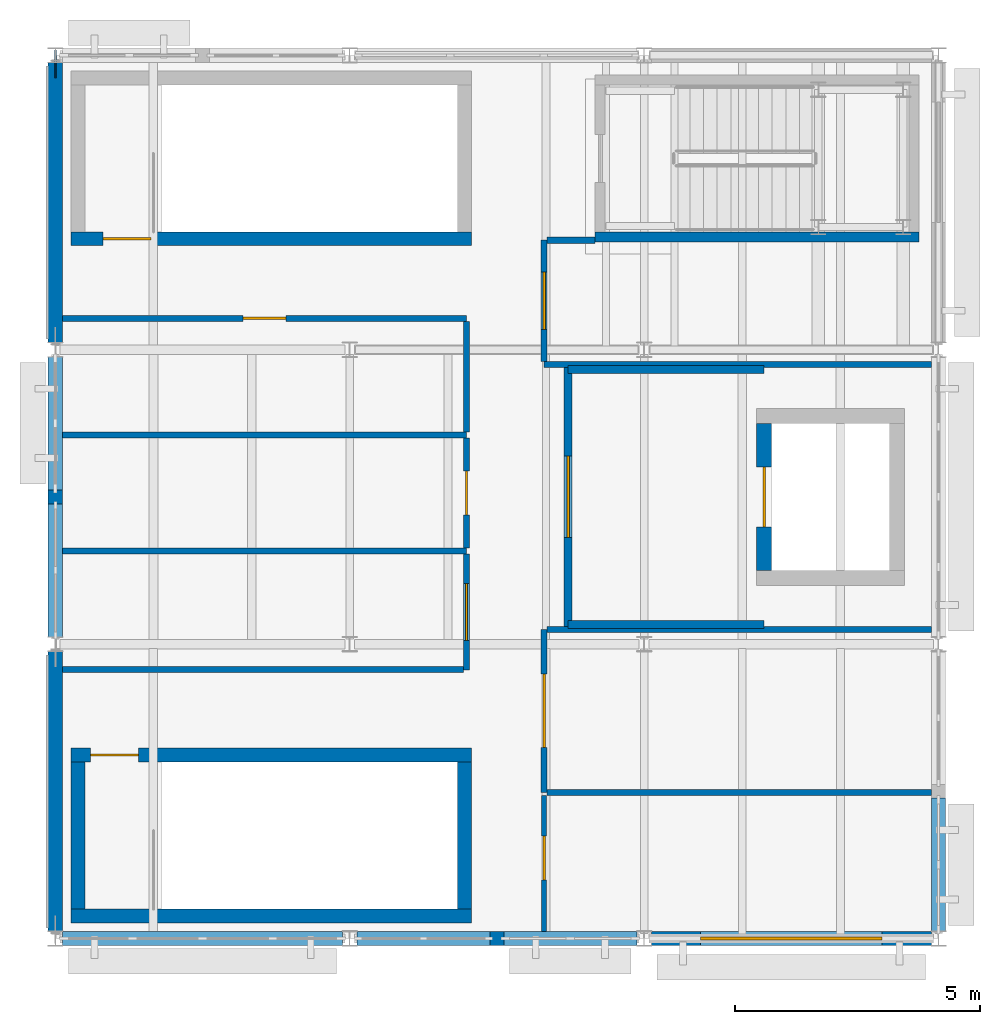
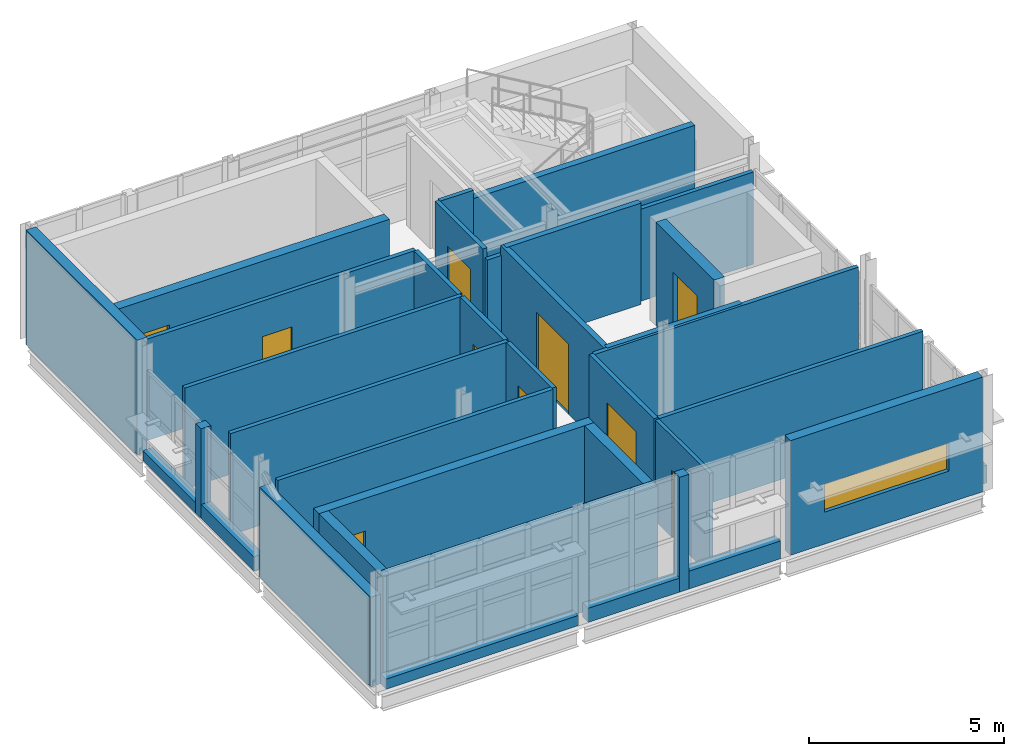
# One storey, part 6 of 8: 35 walls, 10 doors, 1 plate, 1 window, 11 openings.
"""IFC4 building model written with IfcOpenShell, lengths in metres."""

from ifc_helpers import new_model, si_unit, direction, frame, frame_2d, origin, origin_2d, place, context, subcontext, project, spatial, rectangle, extrude, material, layer, layer_set, type_object, element, fill, save


model = new_model("IFC4")

# Units and contexts
model_context = context("Model", 3, precision=1e-05, world=origin(), true_north=direction((0.0, 1.0)))
body_context = subcontext(model_context, "Body", "Model", "MODEL_VIEW")
ifc_project = project(units=[si_unit("LENGTHUNIT", "METRE"), si_unit("AREAUNIT", "SQUARE_METRE"), si_unit("VOLUMEUNIT", "CUBIC_METRE"), si_unit("PLANEANGLEUNIT", "RADIAN"), si_unit("MASSUNIT", "GRAM", prefix="KILO")], contexts=[model_context])

# Site, building, storey
site_placement = place(None, origin())
site = spatial("IfcSite", under=ifc_project, at=site_placement, CompositionType="ELEMENT")
building_placement = place(site_placement, origin())
building = spatial("IfcBuilding", under=site, at=building_placement, Name="Siltcreek Boulevard Central Fire Station", CompositionType="ELEMENT")
storey_placement = place(building_placement, frame((0.0, 0.0, 21.60009765625)))
storey = spatial("IfcBuildingStorey", under=building, at=storey_placement, Name="L06", CompositionType="ELEMENT", Elevation=21.60009765625)

# Plate
ifc_material_1 = material(Name="Structural steel ASTM A572 Gr50", Category="steel")
ifc_layer_1 = layer(ifc_material_1, 0.028076171875, Name="Structural steel ASTM A572 Gr50")
ifc_layer_set_1 = layer_set([ifc_layer_1], Name="Structural steel ASTM A572 Gr50")
plate_type = type_object("IfcPlateType", Name="PL_GUS28", PredefinedType="USERDEFINED", material=ifc_layer_set_1)
plate_placement = place(storey_placement, frame((42.0, 112.02001953125, 2.829833984375), z_axis=(0.0, 0.0, 1.0), x_axis=(0.0, 1.0, 0.0)))
element("IfcPlate", 1, at=plate_placement, inside=storey, type_object=plate_type, Name="Seismic brace top gusset plate GP-082", ObjectType="GUSSET PLATE", PredefinedType="USERDEFINED", context=body_context, shape_type="SweptSolid", body=[
    extrude(rectangle(XDim=0.56005859375, YDim=0.028076171875, at=origin_2d()), origin(), (0.0, 0.0, 1.0), 0.43994140625),
])

# Wall
ifc_material_2 = material(Name="Concrete C40/50", Category="concrete")
ifc_layer_2 = layer(ifc_material_2, 0.280029296875, Name="Concrete C40/50")
ifc_layer_set_2 = layer_set([ifc_layer_2], Name="Concrete C40/50")
wall_type_1 = type_object("IfcWallType", Name="CW_SHEAR280", PredefinedType="SHEAR", material=ifc_layer_set_2)
wall_1_placement = place(storey_placement, frame((42.320068359375, 94.659912109375, 0.0), z_axis=(0.0, 0.0, 1.0), x_axis=(1.0, 0.0, 0.0)))
element("IfcWall", 2, at=wall_1_placement, inside=storey, type_object=wall_type_1, Name="L06 ST-V3A stair enclosure south shear wall", PredefinedType="SHEAR", context=body_context, shape_type="SweptSolid", body=[
    extrude(rectangle(XDim=8.159912109375, YDim=0.280029296875, at=frame_2d((4.080078125, 0.0))), origin(), (0.0, 0.0, 1.0), 3.179931640625),
])

# Wall, opening, door
wall_2_placement = place(storey_placement, frame((50.47998046875, 97.93994140625, 0.0), z_axis=(0.0, 0.0, 1.0), x_axis=(-1.0, 0.0, 0.0)))
wall_2 = element("IfcWall", 3, at=wall_2_placement, inside=storey, type_object=wall_type_1, Name="L06 ST-V3A stair enclosure north shear wall", PredefinedType="SHEAR", context=body_context, shape_type="SweptSolid", body=[
    extrude(rectangle(XDim=8.159912109375, YDim=0.280029296875, at=frame_2d((4.080078125, 0.0))), origin(), (0.0, 0.0, 1.0), 3.179931640625),
])
opening_1_placement = place(wall_2_placement, frame((6.780029296875, 0.0, 0.0)))
opening_1 = element("IfcOpeningElement", 4, at=opening_1_placement, cuts=wall_2, Name="Opening SD-025", PredefinedType="OPENING", context=body_context, shape_type="SweptSolid", body=[
    extrude(rectangle(XDim=0.97998046875, YDim=2.14990234375, at=frame_2d((0.489990234375, 1.074951171875))), frame((0.0, 0.14990234375, 0.0), z_axis=(0.0, -1.0, 0.0), x_axis=(1.0, 0.0, 0.0)), (0.0, 0.0, 1.0), 0.300048828125),
])
ifc_material_3 = material(Name="Hollow metal 90-min enclosed stair door")
door_type_1 = type_object("IfcDoorType", Name="DR_ST_098X215", OperationType="NOTDEFINED", PredefinedType="DOOR", material=ifc_material_3)
door_1_placement = place(opening_1_placement, origin())
door_1 = element("IfcDoor", 5, at=door_1_placement, inside=storey, type_object=door_type_1, Name="L06 ST-V3A enclosed exit stair door SD-025", OperationType="SINGLE_SWING_RIGHT", OverallHeight=2.14990234375, OverallWidth=0.97998046875, PredefinedType="DOOR", context=body_context, shape_type="SweptSolid", body=[
    extrude(rectangle(XDim=0.97998046875, YDim=2.14990234375, at=frame_2d((0.489990234375, 1.074951171875))), frame((0.0, 0.02490234375, 0.0), z_axis=(0.0, -1.0, 0.0), x_axis=(1.0, 0.0, 0.0)), (0.0, 0.0, 1.0), 0.050048828125),
])
fill(opening_1, door_1)

# Walls
for number, where, z_axis, x_axis, name in (
    (6, (42.4599609375, 97.800048828125, 0.0), (0.0, 0.0, 1.0), (0.0, -1.0, 0.0), "L06 ST-V3A stair enclosure west shear wall"),
    (7, (50.340087890625, 94.800048828125, 0.0), (0.0, 0.0, 1.0), (0.0, 1.0, 0.0), "L06 ST-V3A stair enclosure east shear wall"),
):
    element("IfcWall", number, at=place(storey_placement, frame(where, z_axis=z_axis, x_axis=x_axis)), inside=storey, type_object=wall_type_1, Name=name, PredefinedType="SHEAR", context=body_context, shape_type="SweptSolid", body=[
        extrude(rectangle(XDim=3.0, YDim=0.280029296875, at=frame_2d((1.5, 0.0))), origin(), (0.0, 0.0, 1.0), 3.179931640625),
    ])

# Wall, opening, door
wall_3_placement = place(storey_placement, frame((42.320068359375, 108.4599609375, 0.0), z_axis=(0.0, 0.0, 1.0), x_axis=(1.0, 0.0, 0.0)))
wall_3 = element("IfcWall", 8, at=wall_3_placement, inside=storey, type_object=wall_type_1, Name="L06 ST-V3B stair enclosure south shear wall", PredefinedType="SHEAR", context=body_context, shape_type="SweptSolid", body=[
    extrude(rectangle(XDim=8.159912109375, YDim=0.280029296875, at=frame_2d((4.080078125, 0.0))), origin(), (0.0, 0.0, 1.0), 3.179931640625),
])
opening_2_placement = place(wall_3_placement, frame((0.64990234375, 0.0, 0.0)))
opening_2 = element("IfcOpeningElement", 9, at=opening_2_placement, cuts=wall_3, Name="Opening SD-031", PredefinedType="OPENING", context=body_context, shape_type="SweptSolid", body=[
    extrude(rectangle(XDim=0.97998046875, YDim=2.14990234375, at=frame_2d((0.489990234375, 1.074951171875))), frame((0.0, 0.14990234375, 0.0), z_axis=(0.0, -1.0, 0.0), x_axis=(1.0, 0.0, 0.0)), (0.0, 0.0, 1.0), 0.300048828125),
])
door_2_placement = place(opening_2_placement, origin())
door_2 = element("IfcDoor", 10, at=door_2_placement, inside=storey, type_object=door_type_1, Name="L06 ST-V3B enclosed exit stair door SD-031", OperationType="SINGLE_SWING_RIGHT", OverallHeight=2.14990234375, OverallWidth=0.97998046875, PredefinedType="DOOR", context=body_context, shape_type="SweptSolid", body=[
    extrude(rectangle(XDim=0.97998046875, YDim=2.14990234375, at=frame_2d((0.489990234375, 1.074951171875))), frame((0.0, 0.02490234375, 0.0), z_axis=(0.0, -1.0, 0.0), x_axis=(1.0, 0.0, 0.0)), (0.0, 0.0, 1.0), 0.050048828125),
])
fill(opening_2, door_2)

ifc_layer_3 = layer(ifc_material_2, 0.304931640625, Name="Concrete C40/50")
ifc_layer_set_3 = layer_set([ifc_layer_3], Name="Concrete C40/50")
wall_type_2 = type_object("IfcWallType", Name="CW_SHEAR305", PredefinedType="SHEAR", material=ifc_layer_set_3)
wall_4_placement = place(storey_placement, frame((56.447509765625, 104.699951171875, 0.0), z_axis=(0.0, 0.0, 1.0), x_axis=(0.0, -1.0, 0.0)))
wall_4 = element("IfcWall", 11, at=wall_4_placement, inside=storey, type_object=wall_type_2, Name="L06 EL-04 elevator shaft west shear wall", PredefinedType="SHEAR", context=body_context, shape_type="SweptSolid", body=[
    extrude(rectangle(XDim=3.0, YDim=0.304931640625, at=frame_2d((1.5, 0.0))), origin(), (0.0, 0.0, 1.0), 3.25),
])
opening_3_placement = place(wall_4_placement, frame((0.889892578125, 0.0, 0.0)))
opening_3 = element("IfcOpeningElement", 12, at=opening_3_placement, cuts=wall_4, Name="Opening LD02", PredefinedType="OPENING", context=body_context, shape_type="SweptSolid", body=[
    extrude(rectangle(XDim=1.219970703125, YDim=2.219970703125, at=frame_2d((0.60986328125, 1.10986328125))), frame((0.0, 0.162353515625, 0.0), z_axis=(0.0, -1.0, 0.0), x_axis=(1.0, 0.0, 0.0)), (0.0, 0.0, 1.0), 0.324951171875),
])
ifc_material_4 = material(Name="Stainless steel firefighting sliding elevator landing door", Category="steel")
door_type_2 = type_object("IfcDoorType", Name="DR_LD_122X222", OperationType="NOTDEFINED", PredefinedType="DOOR", material=ifc_material_4)
door_3_placement = place(opening_3_placement, origin())
door_3 = element("IfcDoor", 13, at=door_3_placement, inside=storey, type_object=door_type_2, Name="L06 EL-04 elevator sliding landing door LD-21", OperationType="SLIDING_TO_LEFT", OverallHeight=2.219970703125, OverallWidth=1.219970703125, PredefinedType="DOOR", context=body_context, shape_type="SweptSolid", body=[
    extrude(rectangle(XDim=1.219970703125, YDim=2.219970703125, at=frame_2d((0.60986328125, 1.10986328125))), frame((0.0, 0.02490234375, 0.0), z_axis=(0.0, -1.0, 0.0), x_axis=(1.0, 0.0, 0.0)), (0.0, 0.0, 1.0), 0.050048828125),
])
fill(opening_3, door_3)

# Walls
ifc_material_5 = material(Name="White ribbed aluminum spandrel wall", Category="aluminium")
ifc_layer_4 = layer(ifc_material_5, 0.2900390625, Name="White ribbed aluminum spandrel wall")
ifc_layer_set_4 = layer_set([ifc_layer_4], Name="White ribbed aluminum spandrel wall")
wall_type_3 = type_object("IfcWallType", Name="EW_METAL290", PredefinedType="STANDARD", material=ifc_layer_set_4)
wall_5_placement = place(storey_placement, frame((42.14501953125, 94.199951171875, 0.0), z_axis=(0.0, 0.0, 1.0), x_axis=(1.0, 0.0, 0.0)))
element("IfcWall", 14, at=wall_5_placement, inside=storey, type_object=wall_type_3, Name="L06 V3 curtain-wall sill spandrel 0203", PredefinedType="STANDARD", context=body_context, shape_type="SweptSolid", body=[
    extrude(rectangle(XDim=5.7099609375, YDim=0.2900390625, at=frame_2d((2.85498046875, 0.0))), origin(), (0.0, 0.0, 1.0), 0.31982421875),
])
wall_6_placement = place(storey_placement, frame((50.860107421875, 94.199951171875, 0.0), z_axis=(0.0, 0.0, 1.0), x_axis=(1.0, 0.0, 0.0)))
element("IfcWall", 15, at=wall_6_placement, inside=storey, type_object=wall_type_3, Name="L06 V3 facade pier 0204", PredefinedType="STANDARD", context=body_context, shape_type="SweptSolid", body=[
    extrude(rectangle(XDim=0.27978515625, YDim=0.2900390625, at=frame_2d((0.139892578125, 0.0))), origin(), (0.0, 0.0, 1.0), 3.599853515625),
])
wall_7_placement = place(storey_placement, frame((48.14501953125, 94.199951171875, 0.0), z_axis=(0.0, 0.0, 1.0), x_axis=(1.0, 0.0, 0.0)))
element("IfcWall", 16, at=wall_7_placement, inside=storey, type_object=wall_type_3, Name="L06 V3 curtain-wall sill spandrel 0205", PredefinedType="STANDARD", context=body_context, shape_type="SweptSolid", body=[
    extrude(rectangle(XDim=2.715087890625, YDim=0.2900390625, at=frame_2d((1.357421875, 0.0))), origin(), (0.0, 0.0, 1.0), 0.43994140625),
])
wall_8_placement = place(storey_placement, frame((51.139892578125, 94.199951171875, 0.0), z_axis=(0.0, 0.0, 1.0), x_axis=(1.0, 0.0, 0.0)))
element("IfcWall", 17, at=wall_8_placement, inside=storey, type_object=wall_type_3, Name="L06 V3 curtain-wall sill spandrel 0206", PredefinedType="STANDARD", context=body_context, shape_type="SweptSolid", body=[
    extrude(rectangle(XDim=2.715087890625, YDim=0.2900390625, at=frame_2d((1.357421875, 0.0))), origin(), (0.0, 0.0, 1.0), 0.559814453125),
])

# Wall, opening, window
wall_9_placement = place(storey_placement, frame((54.14501953125, 94.199951171875, 0.0), z_axis=(0.0, 0.0, 1.0), x_axis=(1.0, 0.0, 0.0)))
wall_9 = element("IfcWall", 18, at=wall_9_placement, inside=storey, type_object=wall_type_3, Name="L06 V3 exterior insulated rainscreen wall WL-EXT-L06-0207", PredefinedType="STANDARD", context=body_context, shape_type="SweptSolid", body=[
    extrude(rectangle(XDim=5.7099609375, YDim=0.2900390625, at=frame_2d((2.85498046875, 0.0))), origin(), (0.0, 0.0, 1.0), 3.599853515625),
])
opening_4_placement = place(wall_9_placement, frame((1.0048828125, 0.0, 1.0)))
opening_4 = element("IfcOpeningElement", 19, at=opening_4_placement, cuts=wall_9, Name="Opening WN30", PredefinedType="OPENING", context=body_context, shape_type="SweptSolid", body=[
    extrude(rectangle(XDim=3.699951171875, YDim=0.8798828125, at=frame_2d((1.85009765625, 0.43994140625))), frame((0.0, 0.155029296875, 0.0), z_axis=(0.0, -1.0, 0.0), x_axis=(1.0, 0.0, 0.0)), (0.0, 0.0, 1.0), 0.31005859375),
])
ifc_material_6 = material(Name="Thermally broken aluminum frame with low-E insulated glass", Category="aluminium")
window_type = type_object("IfcWindowType", Name="WN_CL_370X088", PartitioningType="SINGLE_PANEL", PredefinedType="WINDOW", material=ifc_material_6)
window_placement = place(opening_4_placement, origin())
window = element("IfcWindow", 20, at=window_placement, inside=storey, type_object=window_type, Name="L06 V3 exterior window WN-0097", OverallHeight=0.8798828125, OverallWidth=3.699951171875, PartitioningType="SINGLE_PANEL", PredefinedType="WINDOW", context=body_context, shape_type="SweptSolid", body=[
    extrude(rectangle(XDim=3.699951171875, YDim=0.8798828125, at=frame_2d((1.85009765625, 0.43994140625))), frame((0.0, 0.030029296875, 0.0), z_axis=(0.0, -1.0, 0.0), x_axis=(1.0, 0.0, 0.0)), (0.0, 0.0, 1.0), 0.06005859375),
])
fill(opening_4, window)

# Walls
wall_10_placement = place(storey_placement, frame((42.0, 100.054931640625, 0.0), z_axis=(0.0, 0.0, 1.0), x_axis=(0.0, -1.0, 0.0)))
element("IfcWall", 21, at=wall_10_placement, inside=storey, type_object=wall_type_3, Name="L06 V3 exterior insulated rainscreen wall WL-EXT-L06-0213", PredefinedType="STANDARD", context=body_context, shape_type="SweptSolid", body=[
    extrude(rectangle(XDim=5.7099609375, YDim=0.2900390625, at=frame_2d((2.85498046875, 0.0))), origin(), (0.0, 0.0, 1.0), 2.812744140625),
])
wall_11_placement = place(storey_placement, frame((42.0, 103.340087890625, 0.0), z_axis=(0.0, 0.0, 1.0), x_axis=(0.0, -1.0, 0.0)))
element("IfcWall", 22, at=wall_11_placement, inside=storey, type_object=wall_type_3, Name="L06 V3 facade pier 0214", PredefinedType="STANDARD", context=body_context, shape_type="SweptSolid", body=[
    extrude(rectangle(XDim=0.280029296875, YDim=0.2900390625, at=frame_2d((0.14013671875, 0.0))), origin(), (0.0, 0.0, 1.0), 2.812744140625),
])
wall_12_placement = place(storey_placement, frame((42.0, 106.054931640625, 0.0), z_axis=(0.0, 0.0, 1.0), x_axis=(0.0, -1.0, 0.0)))
element("IfcWall", 23, at=wall_12_placement, inside=storey, type_object=wall_type_3, Name="L06 V3 curtain-wall sill spandrel 0215", PredefinedType="STANDARD", context=body_context, shape_type="SweptSolid", body=[
    extrude(rectangle(XDim=2.71484375, YDim=0.2900390625, at=frame_2d((1.357421875, 0.0))), origin(), (0.0, 0.0, 1.0), 0.31982421875),
])
wall_13_placement = place(storey_placement, frame((42.0, 103.06005859375, 0.0), z_axis=(0.0, 0.0, 1.0), x_axis=(0.0, -1.0, 0.0)))
element("IfcWall", 24, at=wall_13_placement, inside=storey, type_object=wall_type_3, Name="L06 V3 curtain-wall sill spandrel 0216", PredefinedType="STANDARD", context=body_context, shape_type="SweptSolid", body=[
    extrude(rectangle(XDim=2.715087890625, YDim=0.2900390625, at=frame_2d((1.357421875, 0.0))), origin(), (0.0, 0.0, 1.0), 0.43994140625),
])
wall_14_placement = place(storey_placement, frame((42.0, 112.054931640625, 0.0), z_axis=(0.0, 0.0, 1.0), x_axis=(0.0, -1.0, 0.0)))
element("IfcWall", 25, at=wall_14_placement, inside=storey, type_object=wall_type_3, Name="L06 V3 exterior insulated rainscreen wall WL-EXT-L06-0217", PredefinedType="STANDARD", context=body_context, shape_type="SweptSolid", body=[
    extrude(rectangle(XDim=5.7099609375, YDim=0.2900390625, at=frame_2d((2.85498046875, 0.0))), origin(), (0.0, 0.0, 1.0), 3.599853515625),
])
wall_15_placement = place(storey_placement, frame((60.0, 94.344970703125, 0.0), z_axis=(0.0, 0.0, 1.0), x_axis=(0.0, 1.0, 0.0)))
element("IfcWall", 26, at=wall_15_placement, inside=storey, type_object=wall_type_3, Name="L06 V3 curtain-wall sill spandrel 0219", PredefinedType="STANDARD", context=body_context, shape_type="SweptSolid", body=[
    extrude(rectangle(XDim=2.715087890625, YDim=0.2900390625, at=frame_2d((1.357421875, 0.0))), origin(), (0.0, 0.0, 1.0), 0.559814453125),
])
ifc_material_7 = material(Name="Fire-rated concrete masonry and gypsum barrier", Category="masonry")
ifc_layer_5 = layer(ifc_material_7, 0.199951171875, Name="Fire-rated concrete masonry and gypsum barrier")
ifc_layer_set_5 = layer_set([ifc_layer_5], Name="Fire-rated concrete masonry and gypsum barrier")
wall_type_4 = type_object("IfcWallType", Name="IW_FIRE200", PredefinedType="PARTITIONING", material=ifc_layer_set_5)
wall_16_placement = place(storey_placement, frame((53.0, 108.5, 0.0), z_axis=(0.0, 0.0, 1.0), x_axis=(1.0, 0.0, 0.0)))
element("IfcWall", 27, at=wall_16_placement, inside=storey, type_object=wall_type_4, Name="L06 ST-V3-RF stair enclosure south fire wall", PredefinedType="PARTITIONING", context=body_context, shape_type="SweptSolid", body=[
    extrude(rectangle(XDim=6.60009765625, YDim=0.199951171875, at=frame_2d((3.300048828125, 0.0))), origin(), (0.0, 0.0, 1.0), 2.889892578125),
])
ifc_material_8 = material(Name="Interior steel stud gypsum partition", Category="steel")
ifc_layer_6 = layer(ifc_material_8, 0.125, Name="Interior steel stud gypsum partition")
ifc_layer_set_6 = layer_set([ifc_layer_6], Name="Interior steel stud gypsum partition")
wall_type_5 = type_object("IfcWallType", Name="IW_PART125", PredefinedType="PARTITIONING", material=ifc_layer_set_6)
wall_17_placement = place(storey_placement, frame((42.14501953125, 102.10009765625, 0.0), z_axis=(0.0, 0.0, 1.0), x_axis=(1.0, 0.0, 0.0)))
element("IfcWall", 28, at=wall_17_placement, inside=storey, type_object=wall_type_5, Name="L06 Live Burn Training Room partition 0361", PredefinedType="PARTITIONING", context=body_context, shape_type="SweptSolid", body=[
    extrude(rectangle(XDim=8.237548828125, YDim=0.125, at=frame_2d((4.11865234375, 0.0))), origin(), (0.0, 0.0, 1.0), 3.179931640625),
])

# Wall, opening, door
wall_18_placement = place(storey_placement, frame((50.3798828125, 102.03759765625, 0.0), z_axis=(0.0, 0.0, 1.0), x_axis=(0.0, -1.0, 0.0)))
wall_18 = element("IfcWall", 29, at=wall_18_placement, inside=storey, type_object=wall_type_5, Name="L06 Live Burn Training Room partition 0362", PredefinedType="PARTITIONING", context=body_context, shape_type="SweptSolid", body=[
    extrude(rectangle(XDim=2.360107421875, YDim=0.125, at=frame_2d((1.18017578125, 0.0))), origin(), (0.0, 0.0, 1.0), 3.179931640625),
])
opening_5_placement = place(wall_18_placement, frame((0.60009765625, 0.0, 0.0)))
opening_5 = element("IfcOpeningElement", 30, at=opening_5_placement, cuts=wall_18, Name="Opening ID06", PredefinedType="OPENING", context=body_context, shape_type="SweptSolid", body=[
    extrude(rectangle(XDim=1.159912109375, YDim=2.199951171875, at=frame_2d((0.580078125, 1.10009765625))), frame((0.0, 0.072509765625, 0.0), z_axis=(0.0, -1.0, 0.0), x_axis=(1.0, 0.0, 0.0)), (0.0, 0.0, 1.0), 0.14501953125),
])
ifc_material_9 = material(Name="Glazed simulation laboratory door")
door_type_3 = type_object("IfcDoorType", Name="DR_LAB_116X220", OperationType="NOTDEFINED", PredefinedType="DOOR", material=ifc_material_9)
door_4_placement = place(opening_5_placement, frame((1.159912109375, 0.0, 0.0), z_axis=(0.0, 0.0, 1.0), x_axis=(-1.0, 0.0, 0.0)))
door_4 = element("IfcDoor", 31, at=door_4_placement, inside=storey, type_object=door_type_3, Name="L06 Live Burn Training Room door ID-0158", OperationType="SINGLE_SWING_LEFT", OverallHeight=2.199951171875, OverallWidth=1.159912109375, PredefinedType="DOOR", context=body_context, shape_type="SweptSolid", body=[
    extrude(rectangle(XDim=1.159912109375, YDim=2.199951171875, at=frame_2d((0.580078125, 1.10009765625))), frame((0.0, 0.02490234375, 0.0), z_axis=(0.0, -1.0, 0.0), x_axis=(1.0, 0.0, 0.0)), (0.0, 0.0, 1.0), 0.050048828125),
])
fill(opening_5, door_4)

# Walls
wall_19_placement = place(storey_placement, frame((50.3173828125, 99.679931640625, 0.0), z_axis=(0.0, 0.0, 1.0), x_axis=(-1.0, 0.0, 0.0)))
element("IfcWall", 32, at=wall_19_placement, inside=storey, type_object=wall_type_5, Name="L06 Live Burn Training Room partition 0363", PredefinedType="PARTITIONING", context=body_context, shape_type="SweptSolid", body=[
    extrude(rectangle(XDim=8.17236328125, YDim=0.125, at=frame_2d((4.086181640625, 0.0))), origin(), (0.0, 0.0, 1.0), 3.179931640625),
])
wall_20_placement = place(storey_placement, frame((42.14501953125, 104.4599609375, 0.0), z_axis=(0.0, 0.0, 1.0), x_axis=(1.0, 0.0, 0.0)))
element("IfcWall", 33, at=wall_20_placement, inside=storey, type_object=wall_type_5, Name="L06 Thermal Safety Control Office partition 0364", PredefinedType="PARTITIONING", context=body_context, shape_type="SweptSolid", body=[
    extrude(rectangle(XDim=8.237548828125, YDim=0.125, at=frame_2d((4.11865234375, 0.0))), origin(), (0.0, 0.0, 1.0), 3.179931640625),
])

# Wall, opening, door
wall_21_placement = place(storey_placement, frame((50.3798828125, 104.3974609375, 0.0), z_axis=(0.0, 0.0, 1.0), x_axis=(0.0, -1.0, 0.0)))
wall_21 = element("IfcWall", 34, at=wall_21_placement, inside=storey, type_object=wall_type_5, Name="L06 Thermal Safety Control Office partition 0365", PredefinedType="PARTITIONING", context=body_context, shape_type="SweptSolid", body=[
    extrude(rectangle(XDim=2.23486328125, YDim=0.125, at=frame_2d((1.117431640625, 0.0))), origin(), (0.0, 0.0, 1.0), 3.179931640625),
])
opening_6_placement = place(wall_21_placement, frame((0.66748046875, 0.0, 0.0)))
opening_6 = element("IfcOpeningElement", 35, at=opening_6_placement, cuts=wall_21, Name="Opening ID08", PredefinedType="OPENING", context=body_context, shape_type="SweptSolid", body=[
    extrude(rectangle(XDim=0.89990234375, YDim=2.10009765625, at=frame_2d((0.449951171875, 1.050048828125))), frame((0.0, 0.072509765625, 0.0), z_axis=(0.0, -1.0, 0.0), x_axis=(1.0, 0.0, 0.0)), (0.0, 0.0, 1.0), 0.14501953125),
])
ifc_material_10 = material(Name="Moisture-resistant accessible toilet door")
door_type_4 = type_object("IfcDoorType", Name="DR_WC_090X210", OperationType="NOTDEFINED", PredefinedType="DOOR", material=ifc_material_10)
door_5_placement = place(opening_6_placement, frame((0.89990234375, 0.0, 0.0), z_axis=(0.0, 0.0, 1.0), x_axis=(-1.0, 0.0, 0.0)))
door_5 = element("IfcDoor", 36, at=door_5_placement, inside=storey, type_object=door_type_4, Name="L06 Thermal Safety Control Office door ID-0159", OperationType="SINGLE_SWING_RIGHT", OverallHeight=2.10009765625, OverallWidth=0.89990234375, PredefinedType="DOOR", context=body_context, shape_type="SweptSolid", body=[
    extrude(rectangle(XDim=0.89990234375, YDim=2.10009765625, at=frame_2d((0.449951171875, 1.050048828125))), frame((0.0, 0.02490234375, 0.0), z_axis=(0.0, -1.0, 0.0), x_axis=(1.0, 0.0, 0.0)), (0.0, 0.0, 1.0), 0.050048828125),
])
fill(opening_6, door_5)

wall_22_placement = place(storey_placement, frame((42.14501953125, 106.840087890625, 0.0), z_axis=(0.0, 0.0, 1.0), x_axis=(1.0, 0.0, 0.0)))
wall_22 = element("IfcWall", 37, at=wall_22_placement, inside=storey, type_object=wall_type_5, Name="L06 Confined Space Rescue Lab partition 0366", PredefinedType="PARTITIONING", context=body_context, shape_type="SweptSolid", body=[
    extrude(rectangle(XDim=8.237548828125, YDim=0.125, at=frame_2d((4.11865234375, 0.0))), origin(), (0.0, 0.0, 1.0), 3.179931640625),
])
opening_7_placement = place(wall_22_placement, frame((3.68359375, 0.0, 0.0)))
opening_7 = element("IfcOpeningElement", 38, at=opening_7_placement, cuts=wall_22, Name="Opening ID09", PredefinedType="OPENING", context=body_context, shape_type="SweptSolid", body=[
    extrude(rectangle(XDim=0.8701171875, YDim=2.06005859375, at=frame_2d((0.43505859375, 1.030029296875))), frame((0.0, 0.072509765625, 0.0), z_axis=(0.0, -1.0, 0.0), x_axis=(1.0, 0.0, 0.0)), (0.0, 0.0, 1.0), 0.14501953125),
])
ifc_material_11 = material(Name="Moisture-resistant staff toilet door")
door_type_5 = type_object("IfcDoorType", Name="DR_WC_087X206", OperationType="NOTDEFINED", PredefinedType="DOOR", material=ifc_material_11)
door_6_placement = place(opening_7_placement, frame((0.8701171875, 0.0, 0.0), z_axis=(0.0, 0.0, 1.0), x_axis=(-1.0, 0.0, 0.0)))
door_6 = element("IfcDoor", 39, at=door_6_placement, inside=storey, type_object=door_type_5, Name="L06 Confined Space Rescue Lab door ID-0160", OperationType="SINGLE_SWING_LEFT", OverallHeight=2.06005859375, OverallWidth=0.8701171875, PredefinedType="DOOR", context=body_context, shape_type="SweptSolid", body=[
    extrude(rectangle(XDim=0.8701171875, YDim=2.06005859375, at=frame_2d((0.43505859375, 1.030029296875))), frame((0.0, 0.02490234375, 0.0), z_axis=(0.0, -1.0, 0.0), x_axis=(1.0, 0.0, 0.0)), (0.0, 0.0, 1.0), 0.050048828125),
])
fill(opening_7, door_6)

# Walls
wall_23_placement = place(storey_placement, frame((50.3798828125, 106.777587890625, 0.0), z_axis=(0.0, 0.0, 1.0), x_axis=(0.0, -1.0, 0.0)))
element("IfcWall", 40, at=wall_23_placement, inside=storey, type_object=wall_type_5, Name="L06 Confined Space Rescue Lab partition 0367", PredefinedType="PARTITIONING", context=body_context, shape_type="SweptSolid", body=[
    extrude(rectangle(XDim=2.255126953125, YDim=0.125, at=frame_2d((1.12744140625, 0.0))), origin(), (0.0, 0.0, 1.0), 3.179931640625),
])
wall_24_placement = place(storey_placement, frame((59.85498046875, 105.89990234375, 0.0), z_axis=(0.0, 0.0, 1.0), x_axis=(-1.0, 0.0, 0.0)))
element("IfcWall", 41, at=wall_24_placement, inside=storey, type_object=wall_type_5, Name="L06 Rappelling Prep Workshop partition 0368", PredefinedType="PARTITIONING", context=body_context, shape_type="SweptSolid", body=[
    extrude(rectangle(XDim=7.8974609375, YDim=0.125, at=frame_2d((3.94873046875, 0.0))), origin(), (0.0, 0.0, 1.0), 2.889892578125),
])

# Wall, opening, door
wall_25_placement = place(storey_placement, frame((51.9599609375, 105.96240234375, 0.0), z_axis=(0.0, 0.0, 1.0), x_axis=(0.0, 1.0, 0.0)))
wall_25 = element("IfcWall", 42, at=wall_25_placement, inside=storey, type_object=wall_type_5, Name="L06 Rappelling Prep Workshop partition 0369", PredefinedType="PARTITIONING", context=body_context, shape_type="SweptSolid", body=[
    extrude(rectangle(XDim=2.47021484375, YDim=0.125, at=frame_2d((1.235107421875, 0.0))), origin(), (0.0, 0.0, 1.0), 3.179931640625),
])
opening_8_placement = place(wall_25_placement, frame((0.64501953125, 0.0, 0.0)))
opening_8 = element("IfcOpeningElement", 43, at=opening_8_placement, cuts=wall_25, Name="Opening ID13", PredefinedType="OPENING", context=body_context, shape_type="SweptSolid", body=[
    extrude(rectangle(XDim=1.179931640625, YDim=2.159912109375, at=frame_2d((0.58984375, 1.080078125))), frame((0.0, 0.072509765625, 0.0), z_axis=(0.0, -1.0, 0.0), x_axis=(1.0, 0.0, 0.0)), (0.0, 0.0, 1.0), 0.14501953125),
])
ifc_material_12 = material(Name="Antimicrobial walk-in triage door")
door_type_6 = type_object("IfcDoorType", Name="DR_MED_118X216", OperationType="NOTDEFINED", PredefinedType="DOOR", material=ifc_material_12)
door_7_placement = place(opening_8_placement, frame((1.179931640625, 0.0, 0.0), z_axis=(0.0, 0.0, 1.0), x_axis=(-1.0, 0.0, 0.0)))
door_7 = element("IfcDoor", 44, at=door_7_placement, inside=storey, type_object=door_type_6, Name="L06 Rappelling Prep Workshop door ID-0161", OperationType="SINGLE_SWING_RIGHT", OverallHeight=2.159912109375, OverallWidth=1.179931640625, PredefinedType="DOOR", context=body_context, shape_type="SweptSolid", body=[
    extrude(rectangle(XDim=1.179931640625, YDim=2.159912109375, at=frame_2d((0.58984375, 1.080078125))), frame((0.0, 0.02490234375, 0.0), z_axis=(0.0, -1.0, 0.0), x_axis=(1.0, 0.0, 0.0)), (0.0, 0.0, 1.0), 0.050048828125),
])
fill(opening_8, door_7)

# Wall
wall_26_placement = place(storey_placement, frame((52.0224609375, 108.429931640625, 0.0), z_axis=(0.0, 0.0, 1.0), x_axis=(1.0, 0.0, 0.0)))
element("IfcWall", 45, at=wall_26_placement, inside=storey, type_object=wall_type_5, Name="L06 Rappelling Prep Workshop partition 0370", PredefinedType="PARTITIONING", context=body_context, shape_type="SweptSolid", body=[
    extrude(rectangle(XDim=0.9775390625, YDim=0.125, at=frame_2d((0.48876953125, 0.0))), origin(), (0.0, 0.0, 1.0), 3.179931640625),
])

# Wall, opening, door
wall_27_placement = place(storey_placement, frame((51.9599609375, 97.177490234375, 0.0), z_axis=(0.0, 0.0, 1.0), x_axis=(0.0, 1.0, 0.0)))
wall_27 = element("IfcWall", 46, at=wall_27_placement, inside=storey, type_object=wall_type_5, Name="L06 Instructor Debrief Classroom partition 0371", PredefinedType="PARTITIONING", context=body_context, shape_type="SweptSolid", body=[
    extrude(rectangle(XDim=3.324951171875, YDim=0.125, at=frame_2d((1.66259765625, 0.0))), origin(), (0.0, 0.0, 1.0), 3.179931640625),
])
opening_9_placement = place(wall_27_placement, frame((0.91259765625, 0.0, 0.0)))
opening_9 = element("IfcOpeningElement", 47, at=opening_9_placement, cuts=wall_27, Name="Opening ID14", PredefinedType="OPENING", context=body_context, shape_type="SweptSolid", body=[
    extrude(rectangle(XDim=1.5, YDim=2.219970703125, at=frame_2d((0.75, 1.10986328125))), frame((0.0, 0.072509765625, 0.0), z_axis=(0.0, -1.0, 0.0), x_axis=(1.0, 0.0, 0.0)), (0.0, 0.0, 1.0), 0.14501953125),
])
ifc_material_13 = material(Name="Glazed conditioning gym pair")
door_type_7 = type_object("IfcDoorType", Name="DR_GYM_150X222", OperationType="NOTDEFINED", PredefinedType="DOOR", material=ifc_material_13)
door_8_placement = place(opening_9_placement, frame((1.5, 0.0, 0.0), z_axis=(0.0, 0.0, 1.0), x_axis=(-1.0, 0.0, 0.0)))
door_8 = element("IfcDoor", 48, at=door_8_placement, inside=storey, type_object=door_type_7, Name="L06 Instructor Debrief Classroom door ID-0162", OperationType="SINGLE_SWING_LEFT", OverallHeight=2.219970703125, OverallWidth=1.5, PredefinedType="DOOR", context=body_context, shape_type="SweptSolid", body=[
    extrude(rectangle(XDim=1.5, YDim=2.219970703125, at=frame_2d((0.75, 1.10986328125))), frame((0.0, 0.02490234375, 0.0), z_axis=(0.0, -1.0, 0.0), x_axis=(1.0, 0.0, 0.0)), (0.0, 0.0, 1.0), 0.050048828125),
])
fill(opening_9, door_8)

# Walls
for number, where, z_axis, x_axis, name in (
    (49, (52.0224609375, 100.5, 0.0), (0.0, 0.0, 1.0), (1.0, 0.0, 0.0), "L06 Instructor Debrief Classroom partition 0372"),
    (50, (59.85498046875, 97.179931640625, 0.0), (0.0, 0.0, 1.0), (-1.0, 0.0, 0.0), "L06 Instructor Debrief Classroom partition 0373"),
):
    element("IfcWall", number, at=place(storey_placement, frame(where, z_axis=z_axis, x_axis=x_axis)), inside=storey, type_object=wall_type_5, Name=name, PredefinedType="PARTITIONING", context=body_context, shape_type="SweptSolid", body=[
        extrude(rectangle(XDim=7.83251953125, YDim=0.125, at=frame_2d((3.916259765625, 0.0))), origin(), (0.0, 0.0, 1.0), 3.179931640625),
    ])
ifc_material_14 = material(Name="Acoustic smoke-barrier steel stud gypsum wall", Category="steel")
ifc_layer_7 = layer(ifc_material_14, 0.1650390625, Name="Acoustic smoke-barrier steel stud gypsum wall")
ifc_layer_set_7 = layer_set([ifc_layer_7], Name="Acoustic smoke-barrier steel stud gypsum wall")
wall_type_6 = type_object("IfcWallType", Name="IW_SMK165", PredefinedType="PARTITIONING", material=ifc_layer_set_7)
for number, where, z_axis, x_axis, name in (
    (51, (52.449951171875, 100.60009765625, 0.0), (0.0, 0.0, 1.0), (1.0, 0.0, 0.0), "L06 EL-04 elevator lobby S smoke partition"),
    (52, (56.447509765625, 105.800048828125, 0.0), (0.0, 0.0, 1.0), (-1.0, 0.0, 0.0), "L06 EL-04 elevator lobby N smoke partition"),
):
    element("IfcWall", number, at=place(storey_placement, frame(where, z_axis=z_axis, x_axis=x_axis)), inside=storey, type_object=wall_type_6, Name=name, PredefinedType="PARTITIONING", context=body_context, shape_type="SweptSolid", body=[
        extrude(rectangle(XDim=3.99755859375, YDim=0.1650390625, at=frame_2d((1.998779296875, 0.0))), origin(), (0.0, 0.0, 1.0), 3.179931640625),
    ])

# Wall, opening, door
wall_28_placement = place(storey_placement, frame((52.449951171875, 100.52001953125, 0.0), z_axis=(0.0, 0.0, 1.0), x_axis=(0.0, 1.0, 0.0)))
wall_28 = element("IfcWall", 53, at=wall_28_placement, inside=storey, type_object=wall_type_6, Name="L06 EL-04 elevator lobby west smoke partition", PredefinedType="PARTITIONING", context=body_context, shape_type="SweptSolid", body=[
    extrude(rectangle(XDim=5.35986328125, YDim=0.1650390625, at=frame_2d((2.679931640625, 0.0))), origin(), (0.0, 0.0, 1.0), 3.179931640625),
])
opening_10_placement = place(wall_28_placement, frame((1.85009765625, 0.0, 0.0)))
opening_10 = element("IfcOpeningElement", 54, at=opening_10_placement, cuts=wall_28, Name="Opening FD02", PredefinedType="OPENING", context=body_context, shape_type="SweptSolid", body=[
    extrude(rectangle(XDim=1.659912109375, YDim=2.199951171875, at=frame_2d((0.830078125, 1.10009765625))), frame((0.0, 0.092529296875, 0.0), z_axis=(0.0, -1.0, 0.0), x_axis=(1.0, 0.0, 0.0)), (0.0, 0.0, 1.0), 0.18505859375),
])
ifc_material_15 = material(Name="Hollow metal smoke-barrier elevator lobby pair")
door_type_8 = type_object("IfcDoorType", Name="DR_LOB_166X220", OperationType="NOTDEFINED", PredefinedType="DOOR", material=ifc_material_15)
door_9_placement = place(opening_10_placement, frame((1.659912109375, 0.0, 0.0), z_axis=(0.0, 0.0, 1.0), x_axis=(-1.0, 0.0, 0.0)))
door_9 = element("IfcDoor", 55, at=door_9_placement, inside=storey, type_object=door_type_8, Name="L06 EL-04 elevator lobby smoke door", OperationType="DOUBLE_DOOR_SINGLE_SWING", OverallHeight=2.199951171875, OverallWidth=1.659912109375, PredefinedType="DOOR", context=body_context, shape_type="SweptSolid", body=[
    extrude(rectangle(XDim=1.659912109375, YDim=2.199951171875, at=frame_2d((0.830078125, 1.10009765625))), frame((0.0, 0.02490234375, 0.0), z_axis=(0.0, -1.0, 0.0), x_axis=(1.0, 0.0, 0.0)), (0.0, 0.0, 1.0), 0.050048828125),
])
fill(opening_10, door_9)

ifc_material_16 = material(Name="Moisture-resistant tile backer toilet partition", Category="gypsum")
ifc_layer_8 = layer(ifc_material_16, 0.110107421875, Name="Moisture-resistant tile backer toilet partition")
ifc_layer_set_8 = layer_set([ifc_layer_8], Name="Moisture-resistant tile backer toilet partition")
wall_type_7 = type_object("IfcWallType", Name="IW_WET110", PredefinedType="PARTITIONING", material=ifc_layer_set_8)
wall_29_placement = place(storey_placement, frame((51.9599609375, 94.344970703125, 0.0), z_axis=(0.0, 0.0, 1.0), x_axis=(0.0, 1.0, 0.0)))
wall_29 = element("IfcWall", 56, at=wall_29_placement, inside=storey, type_object=wall_type_7, Name="L06 Drill Top Accessible Toilet L06 partition 0374", PredefinedType="PARTITIONING", context=body_context, shape_type="SweptSolid", body=[
    extrude(rectangle(XDim=2.7724609375, YDim=0.110107421875, at=frame_2d((1.38623046875, 0.0))), origin(), (0.0, 0.0, 1.0), 3.179931640625),
])
opening_11_placement = place(wall_29_placement, frame((1.047119140625, 0.0, 0.0)))
opening_11 = element("IfcOpeningElement", 57, at=opening_11_placement, cuts=wall_29, Name="Opening ID08", PredefinedType="OPENING", context=body_context, shape_type="SweptSolid", body=[
    extrude(rectangle(XDim=0.89990234375, YDim=2.10009765625, at=frame_2d((0.449951171875, 1.050048828125))), frame((0.0, 0.06494140625, 0.0), z_axis=(0.0, -1.0, 0.0), x_axis=(1.0, 0.0, 0.0)), (0.0, 0.0, 1.0), 0.130126953125),
])
door_10_placement = place(opening_11_placement, frame((0.89990234375, 0.0, 0.0), z_axis=(0.0, 0.0, 1.0), x_axis=(-1.0, 0.0, 0.0)))
door_10 = element("IfcDoor", 58, at=door_10_placement, inside=storey, type_object=door_type_4, Name="L06 Drill Top Accessible Toilet L06 door ID-0163", OperationType="SINGLE_SWING_RIGHT", OverallHeight=2.10009765625, OverallWidth=0.89990234375, PredefinedType="DOOR", context=body_context, shape_type="SweptSolid", body=[
    extrude(rectangle(XDim=0.89990234375, YDim=2.10009765625, at=frame_2d((0.449951171875, 1.050048828125))), frame((0.0, 0.02490234375, 0.0), z_axis=(0.0, -1.0, 0.0), x_axis=(1.0, 0.0, 0.0)), (0.0, 0.0, 1.0), 0.050048828125),
])
fill(opening_11, door_10)

save(model, "model.ifc")
